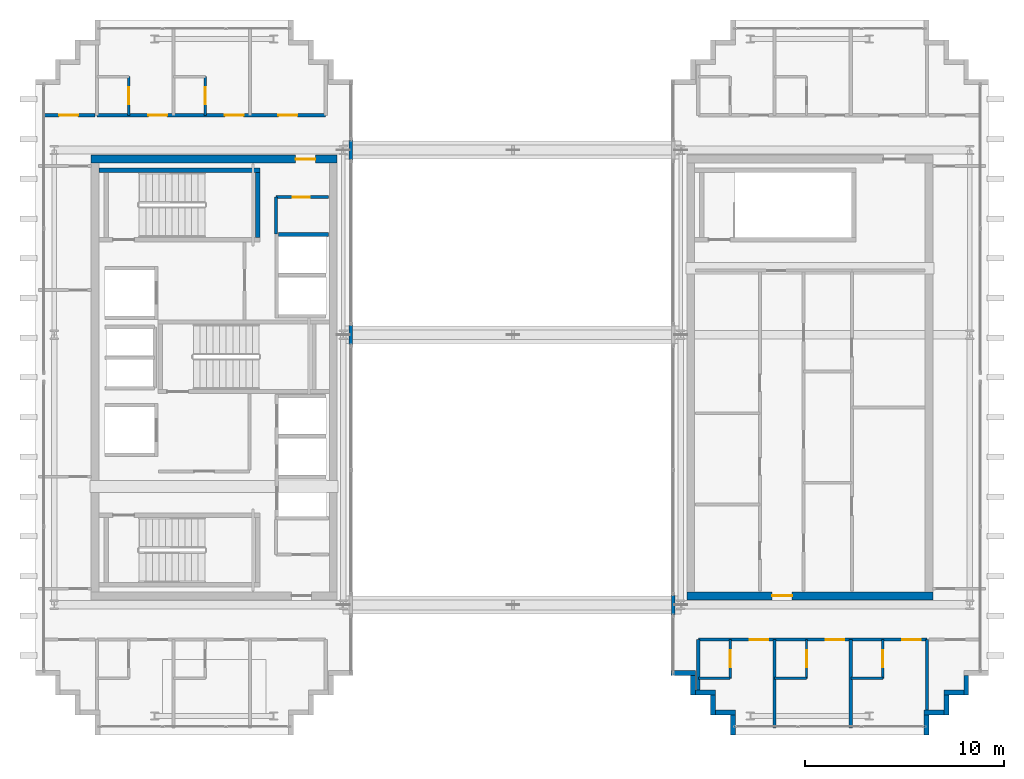
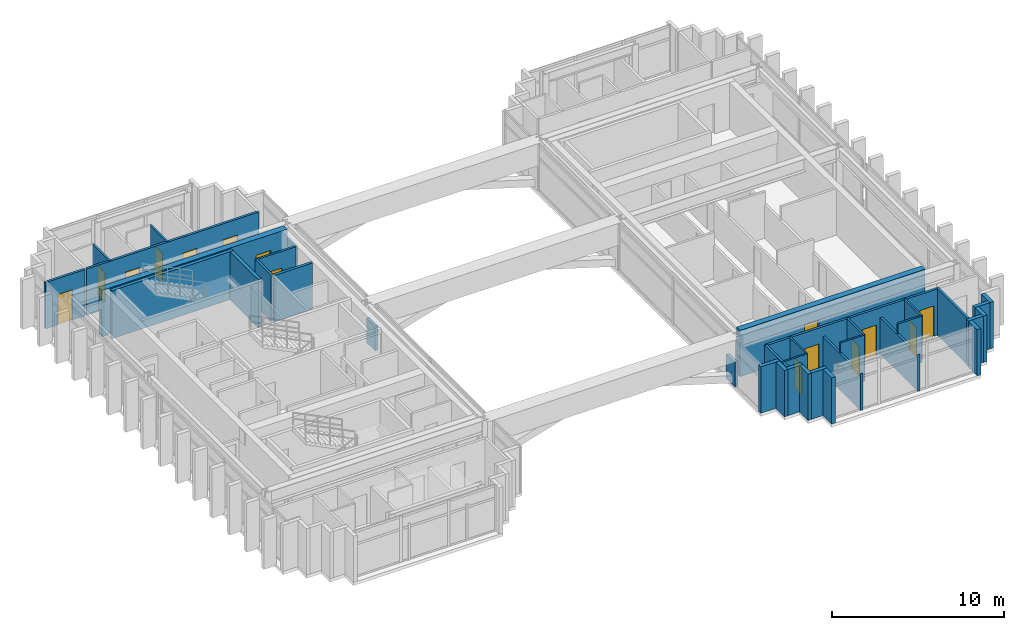
# One storey, part 24 of 28: 36 walls, 15 doors, 15 openings.
"""IFC4 building model written with IfcOpenShell, lengths in metres."""

import ifcopenshell
import ifcopenshell.guid

model = None  # the IFC model being written
_history = None  # IfcOwnerHistory: only IFC2X3 demands one
_inside = {}  # id of a spatial element -> (the spatial element, [elements in it])
_under = {}  # id of a project, library or spatial element -> (it, [spatial elements below it])
_declared = {}  # id of a project -> (the project, [libraries it declares])
_typed = {}  # id of a type object -> (the type object, [elements of that type])
_made_of = {}  # id of a material, layer set ... -> (it, [elements and type objects made of it])


def new_model(schema):
    """Start an empty IFC model of exactly this schema.

    Asked for "IFC4X3", IfcOpenShell would pick the latest addendum, in which some entities
    have other attributes; the version numbers below select the first issue.
    IFC2X3 requires an IfcOwnerHistory on every rooted entity: one is made here for all.
    """
    global model, _history
    if schema == "IFC4X3":
        model = ifcopenshell.file(schema_version=(4, 3, 0, 0))
    else:
        model = ifcopenshell.file(schema=schema)
    _inside.clear()
    _under.clear()
    _declared.clear()
    _typed.clear()
    _made_of.clear()
    _history = None
    if model.schema == "IFC2X3":
        org = make("IfcOrganization", Name="unknown")
        user = make(
            "IfcPersonAndOrganization",
            ThePerson=make("IfcPerson", FamilyName="unknown"),
            TheOrganization=org,
        )
        app = make(
            "IfcApplication",
            ApplicationDeveloper=org,
            Version="unknown",
            ApplicationFullName="unknown",
            ApplicationIdentifier="unknown",
        )
        _history = make(
            "IfcOwnerHistory",
            OwningUser=user,
            OwningApplication=app,
            ChangeAction="ADDED",
            CreationDate=0,
        )
    return model


def make(cls, **values):
    """One entity of the class cls with the attributes given. An attribute that is None is left unset."""
    return model.create_entity(
        cls, **{name: value for name, value in values.items() if value is not None}
    )


def rooted(cls, **values):
    """An entity with a GlobalId (a new one), such as an element, a storey or a relation."""
    return make(cls, GlobalId=ifcopenshell.guid.new(), OwnerHistory=_history, **values)


def si_unit(unit_type, name, prefix=None):
    """IfcSIUnit, for example si_unit("LENGTHUNIT", "METRE", prefix="MILLI")."""
    return make("IfcSIUnit", UnitType=unit_type, Prefix=prefix, Name=name)


def assignment(units):
    """IfcUnitAssignment: the units of a project."""
    return None if units is None else make("IfcUnitAssignment", Units=units)


def point(xyz):
    """IfcCartesianPoint."""
    return None if xyz is None else make("IfcCartesianPoint", Coordinates=xyz)


def direction(xyz):
    """IfcDirection."""
    return None if xyz is None else make("IfcDirection", DirectionRatios=xyz)


def frame(location, z_axis=None, x_axis=None):
    """IfcAxis2Placement3D, a coordinate frame: its origin and axes. An axis left out is left unset."""
    return make(
        "IfcAxis2Placement3D",
        Location=point(location),
        Axis=direction(z_axis),
        RefDirection=direction(x_axis),
    )


def frame_2d(location, x_axis=None):
    """IfcAxis2Placement2D, a coordinate frame in the plane: its origin and x axis."""
    return make(
        "IfcAxis2Placement2D", Location=point(location), RefDirection=direction(x_axis)
    )


def origin():
    """The frame at (0, 0, 0) with its axes left unset."""
    return frame((0.0, 0.0, 0.0))


def place(relative_to, where):
    """IfcLocalPlacement: puts the frame where relative to a parent placement (None: the world)."""
    return make(
        "IfcLocalPlacement", PlacementRelTo=relative_to, RelativePlacement=where
    )


def context(
    kind, dimensions, precision=None, world=None, true_north=None, identifier=None
):
    """IfcGeometricRepresentationContext, for example the 3D "Model" context."""
    return make(
        "IfcGeometricRepresentationContext",
        ContextIdentifier=identifier,
        ContextType=kind,
        CoordinateSpaceDimension=dimensions,
        Precision=precision,
        WorldCoordinateSystem=world,
        TrueNorth=true_north,
    )


def subcontext(parent, identifier, kind, view, scale=None):
    """IfcGeometricRepresentationSubContext, for example "Body" below "Model"."""
    return make(
        "IfcGeometricRepresentationSubContext",
        ContextIdentifier=identifier,
        ContextType=kind,
        ParentContext=parent,
        TargetScale=scale,
        TargetView=view,
    )


def project(units=None, contexts=None):
    """IfcProject with its units and contexts."""
    return rooted(
        "IfcProject",
        Name="project",
        RepresentationContexts=contexts,
        UnitsInContext=assignment(units),
    )


def spatial(cls, under=None, at=None, **own):
    """A site, building, storey or space (cls), placed at a placement, below another one or the project."""
    s = rooted(cls, ObjectPlacement=at, **own)
    if under is not None:
        _under.setdefault(under.id(), (under, []))[1].append(s)
    return s


def profile(cls, at=None, kind="AREA", **sizes):
    """A parametric profile (cls). Its sizes go by their IFC names, for example OverallWidth=200.0."""
    return make(cls, ProfileType=kind, Position=at, **sizes)


def rectangle(**sizes):
    """IfcRectangleProfileDef."""
    return profile("IfcRectangleProfileDef", **sizes)


def extrude(swept, where, along, depth):
    """IfcExtrudedAreaSolid: the profile swept, set in the frame where, extruded along a direction by depth."""
    return make(
        "IfcExtrudedAreaSolid",
        SweptArea=swept,
        Position=where,
        ExtrudedDirection=direction(along),
        Depth=depth,
    )


def shape(context_of_items, identifier, shape_type, items):
    """IfcShapeRepresentation: the items that make up one representation, for example the "Body"."""
    return make(
        "IfcShapeRepresentation",
        ContextOfItems=context_of_items,
        RepresentationIdentifier=identifier,
        RepresentationType=shape_type,
        Items=items,
    )


def source(mapping_origin, context_of_items, identifier, shape_type, items):
    """IfcRepresentationMap: a shape defined once, which mapped items show again and again."""
    return make(
        "IfcRepresentationMap",
        MappingOrigin=mapping_origin,
        MappedRepresentation=shape(context_of_items, identifier, shape_type, items),
    )


def transform(
    local_origin,
    x_axis=None,
    y_axis=None,
    z_axis=None,
    scale=None,
    scale2=None,
    scale3=None,
    uniform=True,
):
    """IfcCartesianTransformationOperator3D, or its non-uniform kind. x_axis, y_axis, z_axis: its Axis1, 2, 3."""
    if uniform:
        return make(
            "IfcCartesianTransformationOperator3D",
            Axis1=direction(x_axis),
            Axis2=direction(y_axis),
            LocalOrigin=point(local_origin),
            Scale=scale,
            Axis3=direction(z_axis),
        )
    return make(
        "IfcCartesianTransformationOperator3DnonUniform",
        Axis1=direction(x_axis),
        Axis2=direction(y_axis),
        LocalOrigin=point(local_origin),
        Scale=scale,
        Axis3=direction(z_axis),
        Scale2=scale2,
        Scale3=scale3,
    )


def mapped(mapping_source, mapping_target):
    """IfcMappedItem: shows the shape of a source again, moved by a transform."""
    return make(
        "IfcMappedItem", MappingSource=mapping_source, MappingTarget=mapping_target
    )


def material(Name=None, Category=None):
    """IfcMaterial."""
    return make("IfcMaterial", Name=Name, Category=Category)


def layer(
    of_material, thickness, ventilated=None, Name=None, Category=None, Priority=None
):
    """IfcMaterialLayer: one layer of a wall or slab, of a material (None: an air gap)."""
    return make(
        "IfcMaterialLayer",
        Material=of_material,
        LayerThickness=thickness,
        IsVentilated=ventilated,
        Name=Name,
        Category=Category,
        Priority=Priority,
    )


def layer_set(layers, Name=None):
    """IfcMaterialLayerSet."""
    return make("IfcMaterialLayerSet", MaterialLayers=layers, LayerSetName=Name)


def made_of(thing, what):
    """Note that an element or type object is made of a material, layer set ...; save() writes the relation."""
    if what is not None:
        _made_of.setdefault(what.id(), (what, []))[1].append(thing)
    return thing


def type_object(cls, material=None, **own):
    """A type object (cls), such as IfcWallType, which elements share."""
    return made_of(rooted(cls, **own), material)


def element(
    cls,
    number,
    at=None,
    inside=None,
    cuts=None,
    type_object=None,
    material=None,
    context=None,
    identifier="Body",
    shape_type=None,
    held_by="IfcProductDefinitionShape",
    body=None,
    shapes=None,
    **own,
):
    """One element of the class cls, such as IfcWall. Its Tag is "e" and its number.

    at: its placement. inside: the storey or other place that contains it. cuts: it is an
    opening in that element (IfcRelVoidsElement). A single representation is given by context,
    identifier, shape_type and body (its items); several are given by shapes. held_by: the class
    of the entity that holds the representations. save() writes the other relations.
    """
    e = rooted(cls, Tag="e%d" % number, ObjectPlacement=at, **own)
    if body is not None:
        shapes = [shape(context, identifier, shape_type, body)]
    if shapes is not None:
        e.Representation = make(held_by, Representations=shapes)
    if inside is not None:
        _inside.setdefault(inside.id(), (inside, []))[1].append(e)
    if cuts is not None:
        rooted(
            "IfcRelVoidsElement", RelatingBuildingElement=cuts, RelatedOpeningElement=e
        )
    if type_object is not None:
        _typed.setdefault(type_object.id(), (type_object, []))[1].append(e)
    return made_of(e, material)


def fill(opening, filler):
    """IfcRelFillsElement: the door or window that sits in an opening."""
    return rooted(
        "IfcRelFillsElement",
        RelatingOpeningElement=opening,
        RelatedBuildingElement=filler,
    )


def aggregate(whole, parts):
    """IfcRelAggregates: a whole, such as a stair, and the parts it consists of."""
    return rooted("IfcRelAggregates", RelatingObject=whole, RelatedObjects=parts)


def save(model, path):
    """Write the relations noted so far, then the file.

    IfcRelAggregates (storeys below a building ...), IfcRelContainedInSpatialStructure (elements
    in a storey), IfcRelDefinesByType, IfcRelAssociatesMaterial and IfcRelDeclares: one each for
    every whole, place, type object, material and project.
    """
    for whole, parts in _under.values():
        aggregate(whole, parts)
    for where, things in _inside.values():
        rooted(
            "IfcRelContainedInSpatialStructure",
            RelatedElements=things,
            RelatingStructure=where,
        )
    for kind, things in _typed.values():
        rooted("IfcRelDefinesByType", RelatedObjects=things, RelatingType=kind)
    for what, things in _made_of.values():
        rooted("IfcRelAssociatesMaterial", RelatedObjects=things, RelatingMaterial=what)
    for by, libraries in _declared.values():
        rooted("IfcRelDeclares", RelatingContext=by, RelatedDefinitions=libraries)
    model.write(path)


model = new_model("IFC4")

# Units and contexts
model_context = context("Model", 3, precision=1e-05, world=origin(), true_north=direction((0.0, 1.0)))
body_context = subcontext(model_context, "Body", "Model", "MODEL_VIEW")
ifc_project = project(units=[si_unit("LENGTHUNIT", "METRE"), si_unit("AREAUNIT", "SQUARE_METRE"), si_unit("VOLUMEUNIT", "CUBIC_METRE"), si_unit("PLANEANGLEUNIT", "RADIAN"), si_unit("MASSUNIT", "GRAM", prefix="KILO")], contexts=[model_context])

# Site, building, storey
site_placement = place(None, origin())
site = spatial("IfcSite", under=ifc_project, at=site_placement, CompositionType="ELEMENT")
building_placement = place(site_placement, origin())
building = spatial("IfcBuilding", under=site, at=building_placement, Name="Ocotamira Hotel", CompositionType="ELEMENT")
storey_placement = place(building_placement, frame((0.0, 0.0, 268.800048828125)))
storey = spatial("IfcBuildingStorey", under=building, at=storey_placement, Name="L68", CompositionType="ELEMENT", Elevation=268.800048828125)

# Wall, opening, door
ifc_material_1 = material(Name="Concrete C50/60", Category="concrete")
ifc_layer_1 = layer(ifc_material_1, 0.39990234375)
ifc_layer_set_1 = layer_set([ifc_layer_1], Name="Concrete C50/60")
wall_type_1 = type_object("IfcWallType", Name="WL-CORE-400", PredefinedType="SHEAR", material=ifc_layer_set_1)
wall_1_placement = place(storey_placement, frame((10.800048828125, 37.0, 0.0), z_axis=(0.0, 0.0, 1.0), x_axis=(1.0, 0.0, 0.0)))
wall_1 = element("IfcWall", 1, at=wall_1_placement, inside=storey, type_object=wall_type_1, Name="L68 Shear Core Wall WCORE-N", PredefinedType="SHEAR", context=body_context, shape_type="SweptSolid", body=[
    extrude(rectangle(XDim=12.39990234375, YDim=0.39990234375, at=frame_2d((6.199951171875, 0.0))), origin(), (0.0, 0.0, 1.0), 3.280029296875),
])
opening_1_placement = place(wall_1_placement, frame((10.300048828125, 0.0, 0.0)))
opening_1 = element("IfcOpeningElement", 2, at=opening_1_placement, cuts=wall_1, Name="Opening D-FR2", PredefinedType="OPENING", context=body_context, shape_type="SweptSolid", body=[
    extrude(rectangle(XDim=1.0, YDim=2.14990234375, at=frame_2d((0.5, 1.074951171875))), frame((0.0, 0.2099609375, 0.0), z_axis=(0.0, -1.0, 0.0), x_axis=(1.0, 0.0, 0.0)), (0.0, 0.0, 1.0), 0.419921875),
])
ifc_material_2 = material(Name="Fire-rated acoustic timber-veneer door", Category="wood")
door_type_1 = type_object("IfcDoorType", Name="DR-FIRE-1000", OperationType="NOTDEFINED", PredefinedType="DOOR", material=ifc_material_2)
shared_shape_1 = source(origin(), body_context, "Body", "SweptSolid", [
    extrude(rectangle(XDim=1.0, YDim=2.14990234375, at=frame_2d((0.5, 1.074951171875))), frame((0.0, 0.02490234375, 0.0), z_axis=(0.0, -1.0, 0.0), x_axis=(1.0, 0.0, 0.0)), (0.0, 0.0, 1.0), 0.050048828125),
])
door_1_placement = place(opening_1_placement, origin())
door_1 = element("IfcDoor", 3, at=door_1_placement, inside=storey, type_object=door_type_1, Name="L68 Door ID-L68-WLOB-N-D [ID-L68-WLOB-N-D]", OperationType="SINGLE_SWING_RIGHT", OverallHeight=2.14990234375, OverallWidth=1.0, PredefinedType="DOOR", context=body_context, shape_type="MappedRepresentation", body=[
    mapped(shared_shape_1, transform((0.0, 0.0, 0.0), scale=1.0)),
])
fill(opening_1, door_1)

wall_2_placement = place(storey_placement, frame((40.800048828125, 15.0, 0.0), z_axis=(0.0, 0.0, 1.0), x_axis=(1.0, 0.0, 0.0)))
wall_2 = element("IfcWall", 4, at=wall_2_placement, inside=storey, type_object=wall_type_1, Name="L68 Shear Core Wall ECORE-S", PredefinedType="SHEAR", context=body_context, shape_type="SweptSolid", body=[
    extrude(rectangle(XDim=12.39990234375, YDim=0.39990234375, at=frame_2d((6.199951171875, 0.0))), origin(), (0.0, 0.0, 1.0), 3.280029296875),
])
opening_2_placement = place(wall_2_placement, frame((4.300048828125, 0.0, 0.0)))
opening_2 = element("IfcOpeningElement", 5, at=opening_2_placement, cuts=wall_2, Name="Opening D-FR2", PredefinedType="OPENING", context=body_context, shape_type="SweptSolid", body=[
    extrude(rectangle(XDim=1.0, YDim=2.14990234375, at=frame_2d((0.5, 1.074951171875))), frame((0.0, 0.2099609375, 0.0), z_axis=(0.0, -1.0, 0.0), x_axis=(1.0, 0.0, 0.0)), (0.0, 0.0, 1.0), 0.419921875),
])
door_2_placement = place(opening_2_placement, origin())
door_2 = element("IfcDoor", 6, at=door_2_placement, inside=storey, type_object=door_type_1, Name="L68 Door ID-L68-ELOB-S-D [ID-L68-ELOB-S-D]", OperationType="SINGLE_SWING_RIGHT", OverallHeight=2.14990234375, OverallWidth=1.0, PredefinedType="DOOR", context=body_context, shape_type="MappedRepresentation", body=[
    mapped(shared_shape_1, transform((0.0, 0.0, 0.0), scale=1.0)),
])
fill(opening_2, door_2)

# Walls
ifc_material_3 = material(Name="Precast concrete C45/55", Category="concrete")
ifc_layer_2 = layer(ifc_material_3, 0.25)
ifc_layer_set_2 = layer_set([ifc_layer_2], Name="Precast concrete C45/55")
wall_type_2 = type_object("IfcWallType", Name="WL-EXT-SER-250", PredefinedType="SOLIDWALL", material=ifc_layer_set_2)
for number, where, z_axis, x_axis, name in (
    (7, (52.875, 8.0, 0.0), (0.0, 0.0, 1.0), (0.0, 1.0, 0.0), "L68 -E Serrated Corner Wall 01"),
    (8, (52.75, 9.125, 0.0), (0.0, 0.0, 1.0), (1.0, 0.0, 0.0), "L68 -E Serrated Corner Wall 02"),
    (9, (53.875, 9.0, 0.0), (0.0, 0.0, 1.0), (0.0, 1.0, 0.0), "L68 -E Serrated Corner Wall 03"),
    (10, (53.75, 10.125, 0.0), (0.0, 0.0, 1.0), (1.0, 0.0, 0.0), "L68 -E Serrated Corner Wall 04"),
    (11, (54.875, 10.0, 0.0), (0.0, 0.0, 1.0), (0.0, 1.0, 0.0), "L68 -E Serrated Corner Wall 05"),
):
    element("IfcWall", number, at=place(storey_placement, frame(where, z_axis=z_axis, x_axis=x_axis)), inside=storey, type_object=wall_type_2, Name=name, PredefinedType="SOLIDWALL", context=body_context, shape_type="SweptSolid", body=[
        extrude(rectangle(XDim=1.0, YDim=0.25, at=frame_2d((0.5, 0.0))), origin(), (0.0, 0.0, 1.0), 3.280029296875),
    ])
wall_3_placement = place(storey_placement, frame((40.0, 11.125, 0.0), z_axis=(0.0, 0.0, 1.0), x_axis=(1.0, 0.0, 0.0)))
element("IfcWall", 12, at=wall_3_placement, inside=storey, type_object=wall_type_2, Name="L68 -E Serrated Corner Wall 19", PredefinedType="SOLIDWALL", context=body_context, shape_type="SweptSolid", body=[
    extrude(rectangle(XDim=1.25, YDim=0.25, at=frame_2d((0.625, 0.0))), origin(), (0.0, 0.0, 1.0), 3.280029296875),
])
for number, where, z_axis, x_axis, name in (
    (13, (41.125, 11.0, 0.0), (0.0, 0.0, 1.0), (0.0, -1.0, 0.0), "L68 -E Serrated Corner Wall 20"),
    (14, (41.25, 10.125, 0.0), (0.0, 0.0, 1.0), (1.0, 0.0, 0.0), "L68 -E Serrated Corner Wall 21"),
    (15, (42.125, 10.0, 0.0), (0.0, 0.0, 1.0), (0.0, -1.0, 0.0), "L68 -E Serrated Corner Wall 22"),
    (16, (42.25, 9.125, 0.0), (0.0, 0.0, 1.0), (1.0, 0.0, 0.0), "L68 -E Serrated Corner Wall 23"),
    (17, (43.125, 9.0, 0.0), (0.0, 0.0, 1.0), (0.0, -1.0, 0.0), "L68 -E Serrated Corner Wall 24"),
):
    element("IfcWall", number, at=place(storey_placement, frame(where, z_axis=z_axis, x_axis=x_axis)), inside=storey, type_object=wall_type_2, Name=name, PredefinedType="SOLIDWALL", context=body_context, shape_type="SweptSolid", body=[
        extrude(rectangle(XDim=1.0, YDim=0.25, at=frame_2d((0.5, 0.0))), origin(), (0.0, 0.0, 1.0), 3.280029296875),
    ])

# Wall, openings, doors
ifc_material_4 = material(Name="Acoustic double-layer fire gypsum board partition", Category="gypsum")
ifc_layer_3 = layer(ifc_material_4, 0.159912109375)
ifc_layer_set_3 = layer_set([ifc_layer_3], Name="Acoustic double-layer fire gypsum board partition")
wall_type_3 = type_object("IfcWallType", Name="WL-FIRE-160", PredefinedType="PARTITIONING", material=ifc_layer_set_3)
wall_4_placement = place(storey_placement, frame((11.10009765625, 39.199951171875, 0.0), z_axis=(0.0, 0.0, 1.0), x_axis=(1.0, 0.0, 0.0)))
wall_4 = element("IfcWall", 18, at=wall_4_placement, inside=storey, type_object=wall_type_3, Name="L68 Interior Wall PW-L68-SPW2N-CORRW", PredefinedType="PARTITIONING", context=body_context, shape_type="SweptSolid", body=[
    extrude(rectangle(XDim=11.52001953125, YDim=0.159912109375, at=frame_2d((5.760009765625, 0.0))), origin(), (0.0, 0.0, 1.0), 3.280029296875),
])
opening_3_placement = place(wall_4_placement, frame((2.590087890625, 0.0, 0.0)))
opening_3 = element("IfcOpeningElement", 19, at=opening_3_placement, cuts=wall_4, Name="Opening D-GR1", PredefinedType="OPENING", context=body_context, shape_type="SweptSolid", body=[
    extrude(rectangle(XDim=0.93994140625, YDim=2.14990234375, at=frame_2d((0.469970703125, 1.074951171875))), frame((0.0, 0.08984375, 0.0), z_axis=(0.0, -1.0, 0.0), x_axis=(1.0, 0.0, 0.0)), (0.0, 0.0, 1.0), 0.179931640625),
])
opening_4_placement = place(wall_4_placement, frame((6.43994140625, 0.0, 0.0)))
opening_4 = element("IfcOpeningElement", 20, at=opening_4_placement, cuts=wall_4, Name="Opening D-GR1", PredefinedType="OPENING", context=body_context, shape_type="SweptSolid", body=[
    extrude(rectangle(XDim=0.93994140625, YDim=2.14990234375, at=frame_2d((0.469970703125, 1.074951171875))), frame((0.0, 0.08984375, 0.0), z_axis=(0.0, -1.0, 0.0), x_axis=(1.0, 0.0, 0.0)), (0.0, 0.0, 1.0), 0.179931640625),
])
opening_5_placement = place(wall_4_placement, frame((9.1298828125, 0.0, 0.0)))
opening_5 = element("IfcOpeningElement", 21, at=opening_5_placement, cuts=wall_4, Name="Opening D-SV4", PredefinedType="OPENING", context=body_context, shape_type="SweptSolid", body=[
    extrude(rectangle(XDim=0.9599609375, YDim=2.14990234375, at=frame_2d((0.47998046875, 1.074951171875))), frame((0.0, 0.08984375, 0.0), z_axis=(0.0, -1.0, 0.0), x_axis=(1.0, 0.0, 0.0)), (0.0, 0.0, 1.0), 0.179931640625),
])
ifc_material_5 = material(Name="Fire-rated accessible walnut salon door", Category="wood")
door_type_2 = type_object("IfcDoorType", Name="DR-SERV-960", OperationType="NOTDEFINED", PredefinedType="DOOR", material=ifc_material_5)
shared_shape_2 = source(origin(), body_context, "Body", "SweptSolid", [
    extrude(rectangle(XDim=0.9599609375, YDim=2.14990234375, at=frame_2d((0.47998046875, 1.074951171875))), frame((0.0, 0.02490234375, 0.0), z_axis=(0.0, -1.0, 0.0), x_axis=(1.0, 0.0, 0.0)), (0.0, 0.0, 1.0), 0.050048828125),
])
door_3_placement = place(opening_5_placement, origin())
door_3 = element("IfcDoor", 22, at=door_3_placement, inside=storey, type_object=door_type_2, Name="L68 Door ID-L68-SPW2N-AMD3 [ID-L68-SPW2N-AMD3]", OperationType="SINGLE_SWING_LEFT", OverallHeight=2.14990234375, OverallWidth=0.9599609375, PredefinedType="DOOR", context=body_context, shape_type="MappedRepresentation", body=[
    mapped(shared_shape_2, transform((0.0, 0.0, 0.0), scale=1.0)),
])
fill(opening_5, door_3)
ifc_material_6 = material(Name="Solid-core walnut suite entrance fire door", Category="wood")
door_type_3 = type_object("IfcDoorType", Name="DR-GUEST-940", OperationType="NOTDEFINED", PredefinedType="DOOR", material=ifc_material_6)
shared_shape_3 = source(origin(), body_context, "Body", "SweptSolid", [
    extrude(rectangle(XDim=0.93994140625, YDim=2.14990234375, at=frame_2d((0.469970703125, 1.074951171875))), frame((0.0, 0.02490234375, 0.0), z_axis=(0.0, -1.0, 0.0), x_axis=(1.0, 0.0, 0.0)), (0.0, 0.0, 1.0), 0.050048828125),
])
door_4_placement = place(opening_3_placement, origin())
door_4 = element("IfcDoor", 23, at=door_4_placement, inside=storey, type_object=door_type_3, Name="L68 Door ID-L68-SPW2N-RMD1 [ID-L68-SPW2N-RMD1]", OperationType="SINGLE_SWING_LEFT", OverallHeight=2.14990234375, OverallWidth=0.93994140625, PredefinedType="DOOR", context=body_context, shape_type="MappedRepresentation", body=[
    mapped(shared_shape_3, transform((0.0, 0.0, 0.0), scale=1.0)),
])
fill(opening_3, door_4)
door_5_placement = place(opening_4_placement, origin())
door_5 = element("IfcDoor", 24, at=door_5_placement, inside=storey, type_object=door_type_3, Name="L68 Door ID-L68-SPW2N-RMD2 [ID-L68-SPW2N-RMD2]", OperationType="SINGLE_SWING_RIGHT", OverallHeight=2.14990234375, OverallWidth=0.93994140625, PredefinedType="DOOR", context=body_context, shape_type="MappedRepresentation", body=[
    mapped(shared_shape_3, transform((0.0, 0.0, 0.0), scale=1.0)),
])
fill(opening_4, door_5)

wall_5_placement = place(storey_placement, frame((41.3798828125, 12.800048828125, 0.0), z_axis=(0.0, 0.0, 1.0), x_axis=(1.0, 0.0, 0.0)))
wall_5 = element("IfcWall", 25, at=wall_5_placement, inside=storey, type_object=wall_type_3, Name="L68 Interior Wall PW-L68-SPE2S-CORRW", PredefinedType="PARTITIONING", context=body_context, shape_type="SweptSolid", body=[
    extrude(rectangle(XDim=11.52001953125, YDim=0.159912109375, at=frame_2d((5.760009765625, 0.0))), origin(), (0.0, 0.0, 1.0), 3.280029296875),
])
opening_6_placement = place(wall_5_placement, frame((2.580078125, 0.0, 0.0)))
opening_6 = element("IfcOpeningElement", 26, at=opening_6_placement, cuts=wall_5, Name="Opening D-GR1", PredefinedType="OPENING", context=body_context, shape_type="SweptSolid", body=[
    extrude(rectangle(XDim=0.93994140625, YDim=2.14990234375, at=frame_2d((0.469970703125, 1.074951171875))), frame((0.0, 0.08984375, 0.0), z_axis=(0.0, -1.0, 0.0), x_axis=(1.0, 0.0, 0.0)), (0.0, 0.0, 1.0), 0.179931640625),
])
opening_7_placement = place(wall_5_placement, frame((6.419921875, 0.0, 0.0)))
opening_7 = element("IfcOpeningElement", 27, at=opening_7_placement, cuts=wall_5, Name="Opening D-GR1", PredefinedType="OPENING", context=body_context, shape_type="SweptSolid", body=[
    extrude(rectangle(XDim=0.93994140625, YDim=2.14990234375, at=frame_2d((0.469970703125, 1.074951171875))), frame((0.0, 0.08984375, 0.0), z_axis=(0.0, -1.0, 0.0), x_axis=(1.0, 0.0, 0.0)), (0.0, 0.0, 1.0), 0.179931640625),
])
opening_8_placement = place(wall_5_placement, frame((10.260009765625, 0.0, 0.0)))
opening_8 = element("IfcOpeningElement", 28, at=opening_8_placement, cuts=wall_5, Name="Opening D-GR1", PredefinedType="OPENING", context=body_context, shape_type="SweptSolid", body=[
    extrude(rectangle(XDim=0.93994140625, YDim=2.14990234375, at=frame_2d((0.469970703125, 1.074951171875))), frame((0.0, 0.08984375, 0.0), z_axis=(0.0, -1.0, 0.0), x_axis=(1.0, 0.0, 0.0)), (0.0, 0.0, 1.0), 0.179931640625),
])
door_6_placement = place(opening_6_placement, origin())
door_6 = element("IfcDoor", 29, at=door_6_placement, inside=storey, type_object=door_type_3, Name="L68 Door ID-L68-SPE2S-RMD1 [ID-L68-SPE2S-RMD1]", OperationType="SINGLE_SWING_LEFT", OverallHeight=2.14990234375, OverallWidth=0.93994140625, PredefinedType="DOOR", context=body_context, shape_type="MappedRepresentation", body=[
    mapped(shared_shape_3, transform((0.0, 0.0, 0.0), scale=1.0)),
])
fill(opening_6, door_6)
door_7_placement = place(opening_7_placement, origin())
door_7 = element("IfcDoor", 30, at=door_7_placement, inside=storey, type_object=door_type_3, Name="L68 Door ID-L68-SPE2S-RMD2 [ID-L68-SPE2S-RMD2]", OperationType="SINGLE_SWING_RIGHT", OverallHeight=2.14990234375, OverallWidth=0.93994140625, PredefinedType="DOOR", context=body_context, shape_type="MappedRepresentation", body=[
    mapped(shared_shape_3, transform((0.0, 0.0, 0.0), scale=1.0)),
])
fill(opening_7, door_7)
door_8_placement = place(opening_8_placement, origin())
door_8 = element("IfcDoor", 31, at=door_8_placement, inside=storey, type_object=door_type_3, Name="L68 Door ID-L68-SPE2S-RMD3 [ID-L68-SPE2S-RMD3]", OperationType="SINGLE_SWING_LEFT", OverallHeight=2.14990234375, OverallWidth=0.93994140625, PredefinedType="DOOR", context=body_context, shape_type="MappedRepresentation", body=[
    mapped(shared_shape_3, transform((0.0, 0.0, 0.0), scale=1.0)),
])
fill(opening_8, door_8)

# Wall, opening, door
wall_6_placement = place(storey_placement, frame((8.35009765625, 39.199951171875, 0.0), z_axis=(0.0, 0.0, 1.0), x_axis=(1.0, 0.0, 0.0)))
wall_6 = element("IfcWall", 32, at=wall_6_placement, inside=storey, type_object=wall_type_3, Name="L68 Interior Wall PW-L68-SPCNW2-CW", PredefinedType="PARTITIONING", context=body_context, shape_type="SweptSolid", body=[
    extrude(rectangle(XDim=2.64990234375, YDim=0.159912109375, at=frame_2d((1.324951171875, 0.0))), origin(), (0.0, 0.0, 1.0), 3.280029296875),
])
opening_9_placement = place(wall_6_placement, frame((0.844970703125, 0.0, 0.0)))
opening_9 = element("IfcOpeningElement", 33, at=opening_9_placement, cuts=wall_6, Name="Opening D-SV4", PredefinedType="OPENING", context=body_context, shape_type="SweptSolid", body=[
    extrude(rectangle(XDim=0.9599609375, YDim=2.14990234375, at=frame_2d((0.47998046875, 1.074951171875))), frame((0.0, 0.08984375, 0.0), z_axis=(0.0, -1.0, 0.0), x_axis=(1.0, 0.0, 0.0)), (0.0, 0.0, 1.0), 0.179931640625),
])
door_9_placement = place(opening_9_placement, origin())
door_9 = element("IfcDoor", 34, at=door_9_placement, inside=storey, type_object=door_type_2, Name="L68 Door ID-L68-SPCNW2-CD [ID-L68-SPCNW2-CD]", OperationType="SINGLE_SWING_LEFT", OverallHeight=2.14990234375, OverallWidth=0.9599609375, PredefinedType="DOOR", context=body_context, shape_type="MappedRepresentation", body=[
    mapped(shared_shape_2, transform((0.0, 0.0, 0.0), scale=1.0)),
])
fill(opening_9, door_9)

# Walls
ifc_layer_4 = layer(ifc_material_3, 0.219970703125)
ifc_layer_set_4 = layer_set([ifc_layer_4], Name="Precast concrete C45/55")
wall_type_4 = type_object("IfcWallType", Name="WL-PARA-220", PredefinedType="PARAPET", material=ifc_layer_set_4)
for number, where, z_axis, x_axis, name in (
    (35, (23.8798828125, 27.64990234375, 0.0), (0.0, 0.0, 1.0), (0.0, 1.0, 0.0), "L68 Split-Wing Column Spandrel Closure W2"),
    (36, (23.8798828125, 36.949951171875, 0.0), (0.0, 0.0, 1.0), (0.0, 1.0, 0.0), "L68 Split-Wing Column Spandrel Closure W3"),
    (37, (40.1201171875, 14.050048828125, 0.0), (0.0, 0.0, 1.0), (0.0, 1.0, 0.0), "L68 Split-Wing Column Spandrel Closure E1"),
):
    element("IfcWall", number, at=place(storey_placement, frame(where, z_axis=z_axis, x_axis=x_axis)), inside=storey, type_object=wall_type_4, Name=name, PredefinedType="PARAPET", context=body_context, shape_type="SweptSolid", body=[
        extrude(rectangle(XDim=1.0, YDim=0.199951171875, at=frame_2d((0.5, 0.0))), origin(), (0.0, 0.0, 1.0), 1.72998046875),
    ])

# Wall, opening, door
ifc_material_7 = material(Name="Moisture-resistant en-suite tile and gypsum partition", Category="gypsum")
ifc_layer_5 = layer(ifc_material_7, 0.1201171875)
ifc_layer_set_5 = layer_set([ifc_layer_5], Name="Moisture-resistant en-suite tile and gypsum partition")
wall_type_5 = type_object("IfcWallType", Name="WL-PART-120", PredefinedType="PARTITIONING", material=ifc_layer_set_5)
wall_7_placement = place(storey_placement, frame((12.7099609375, 39.199951171875, 0.0), z_axis=(0.0, 0.0, 1.0), x_axis=(0.0, 1.0, 0.0)))
wall_7 = element("IfcWall", 38, at=wall_7_placement, inside=storey, type_object=wall_type_5, Name="L68 Interior Wall PW-L68-SPW2N-BAE1", PredefinedType="PARTITIONING", context=body_context, shape_type="SweptSolid", body=[
    extrude(rectangle(XDim=1.949951171875, YDim=0.1201171875, at=frame_2d((0.97509765625, 0.0))), origin(), (0.0, 0.0, 1.0), 3.280029296875),
])
opening_10_placement = place(wall_7_placement, frame((0.544921875, 0.0, 0.0)))
opening_10 = element("IfcOpeningElement", 39, at=opening_10_placement, cuts=wall_7, Name="Opening D-BA1", PredefinedType="OPENING", context=body_context, shape_type="SweptSolid", body=[
    extrude(rectangle(XDim=0.860107421875, YDim=2.10009765625, at=frame_2d((0.43017578125, 1.050048828125))), frame((0.0, 0.070068359375, 0.0), z_axis=(0.0, -1.0, 0.0), x_axis=(1.0, 0.0, 0.0)), (0.0, 0.0, 1.0), 0.14013671875),
])
ifc_material_8 = material(Name="Moisture-sealed en-suite timber door", Category="wood")
door_type_4 = type_object("IfcDoorType", Name="DR-BATH-860", OperationType="NOTDEFINED", PredefinedType="DOOR", material=ifc_material_8)
shared_shape_4 = source(origin(), body_context, "Body", "SweptSolid", [
    extrude(rectangle(XDim=0.860107421875, YDim=2.10009765625, at=frame_2d((0.43017578125, 1.050048828125))), frame((0.0, 0.02490234375, 0.0), z_axis=(0.0, -1.0, 0.0), x_axis=(1.0, 0.0, 0.0)), (0.0, 0.0, 1.0), 0.050048828125),
])
door_10_placement = place(opening_10_placement, origin())
door_10 = element("IfcDoor", 40, at=door_10_placement, inside=storey, type_object=door_type_4, Name="L68 Door ID-L68-SPW2N-BAD1 [ID-L68-SPW2N-BAD1]", OperationType="SINGLE_SWING_RIGHT", OverallHeight=2.10009765625, OverallWidth=0.860107421875, PredefinedType="DOOR", context=body_context, shape_type="MappedRepresentation", body=[
    mapped(shared_shape_4, transform((0.0, 0.0, 0.0), scale=1.0)),
])
fill(opening_10, door_10)

wall_8_placement = place(storey_placement, frame((16.56005859375, 39.199951171875, 0.0), z_axis=(0.0, 0.0, 1.0), x_axis=(0.0, 1.0, 0.0)))
wall_8 = element("IfcWall", 41, at=wall_8_placement, inside=storey, type_object=wall_type_5, Name="L68 Interior Wall PW-L68-SPW2N-BAE2", PredefinedType="PARTITIONING", context=body_context, shape_type="SweptSolid", body=[
    extrude(rectangle(XDim=1.949951171875, YDim=0.1201171875, at=frame_2d((0.97509765625, 0.0))), origin(), (0.0, 0.0, 1.0), 3.280029296875),
])
opening_11_placement = place(wall_8_placement, frame((0.544921875, 0.0, 0.0)))
opening_11 = element("IfcOpeningElement", 42, at=opening_11_placement, cuts=wall_8, Name="Opening D-BA1", PredefinedType="OPENING", context=body_context, shape_type="SweptSolid", body=[
    extrude(rectangle(XDim=0.860107421875, YDim=2.10009765625, at=frame_2d((0.43017578125, 1.050048828125))), frame((0.0, 0.070068359375, 0.0), z_axis=(0.0, -1.0, 0.0), x_axis=(1.0, 0.0, 0.0)), (0.0, 0.0, 1.0), 0.14013671875),
])
door_11_placement = place(opening_11_placement, origin())
door_11 = element("IfcDoor", 43, at=door_11_placement, inside=storey, type_object=door_type_4, Name="L68 Door ID-L68-SPW2N-BAD2 [ID-L68-SPW2N-BAD2]", OperationType="SINGLE_SWING_LEFT", OverallHeight=2.10009765625, OverallWidth=0.860107421875, PredefinedType="DOOR", context=body_context, shape_type="MappedRepresentation", body=[
    mapped(shared_shape_4, transform((0.0, 0.0, 0.0), scale=1.0)),
])
fill(opening_11, door_11)

wall_9_placement = place(storey_placement, frame((42.989990234375, 10.85009765625, 0.0), z_axis=(0.0, 0.0, 1.0), x_axis=(0.0, 1.0, 0.0)))
wall_9 = element("IfcWall", 44, at=wall_9_placement, inside=storey, type_object=wall_type_5, Name="L68 Interior Wall PW-L68-SPE2S-BAE1", PredefinedType="PARTITIONING", context=body_context, shape_type="SweptSolid", body=[
    extrude(rectangle(XDim=1.949951171875, YDim=0.1201171875, at=frame_2d((0.97509765625, 0.0))), origin(), (0.0, 0.0, 1.0), 3.280029296875),
])
opening_12_placement = place(wall_9_placement, frame((0.544921875, 0.0, 0.0)))
opening_12 = element("IfcOpeningElement", 45, at=opening_12_placement, cuts=wall_9, Name="Opening D-BA1", PredefinedType="OPENING", context=body_context, shape_type="SweptSolid", body=[
    extrude(rectangle(XDim=0.860107421875, YDim=2.10009765625, at=frame_2d((0.43017578125, 1.050048828125))), frame((0.0, 0.070068359375, 0.0), z_axis=(0.0, -1.0, 0.0), x_axis=(1.0, 0.0, 0.0)), (0.0, 0.0, 1.0), 0.14013671875),
])
door_12_placement = place(opening_12_placement, origin())
door_12 = element("IfcDoor", 46, at=door_12_placement, inside=storey, type_object=door_type_4, Name="L68 Door ID-L68-SPE2S-BAD1 [ID-L68-SPE2S-BAD1]", OperationType="SINGLE_SWING_RIGHT", OverallHeight=2.10009765625, OverallWidth=0.860107421875, PredefinedType="DOOR", context=body_context, shape_type="MappedRepresentation", body=[
    mapped(shared_shape_4, transform((0.0, 0.0, 0.0), scale=1.0)),
])
fill(opening_12, door_12)

# Wall
wall_10_placement = place(storey_placement, frame((41.3798828125, 10.85009765625, 0.0), z_axis=(0.0, 0.0, 1.0), x_axis=(1.0, 0.0, 0.0)))
element("IfcWall", 47, at=wall_10_placement, inside=storey, type_object=wall_type_5, Name="L68 Interior Wall PW-L68-SPE2S-BAS1", PredefinedType="PARTITIONING", context=body_context, shape_type="SweptSolid", body=[
    extrude(rectangle(XDim=1.610107421875, YDim=0.1201171875, at=frame_2d((0.80517578125, 0.0))), origin(), (0.0, 0.0, 1.0), 3.280029296875),
])

# Wall, opening, door
wall_11_placement = place(storey_placement, frame((46.830078125, 10.85009765625, 0.0), z_axis=(0.0, 0.0, 1.0), x_axis=(0.0, 1.0, 0.0)))
wall_11 = element("IfcWall", 48, at=wall_11_placement, inside=storey, type_object=wall_type_5, Name="L68 Interior Wall PW-L68-SPE2S-BAE2", PredefinedType="PARTITIONING", context=body_context, shape_type="SweptSolid", body=[
    extrude(rectangle(XDim=1.949951171875, YDim=0.1201171875, at=frame_2d((0.97509765625, 0.0))), origin(), (0.0, 0.0, 1.0), 3.280029296875),
])
opening_13_placement = place(wall_11_placement, frame((0.544921875, 0.0, 0.0)))
opening_13 = element("IfcOpeningElement", 49, at=opening_13_placement, cuts=wall_11, Name="Opening D-BA1", PredefinedType="OPENING", context=body_context, shape_type="SweptSolid", body=[
    extrude(rectangle(XDim=0.860107421875, YDim=2.10009765625, at=frame_2d((0.43017578125, 1.050048828125))), frame((0.0, 0.070068359375, 0.0), z_axis=(0.0, -1.0, 0.0), x_axis=(1.0, 0.0, 0.0)), (0.0, 0.0, 1.0), 0.14013671875),
])
door_13_placement = place(opening_13_placement, origin())
door_13 = element("IfcDoor", 50, at=door_13_placement, inside=storey, type_object=door_type_4, Name="L68 Door ID-L68-SPE2S-BAD2 [ID-L68-SPE2S-BAD2]", OperationType="SINGLE_SWING_LEFT", OverallHeight=2.10009765625, OverallWidth=0.860107421875, PredefinedType="DOOR", context=body_context, shape_type="MappedRepresentation", body=[
    mapped(shared_shape_4, transform((0.0, 0.0, 0.0), scale=1.0)),
])
fill(opening_13, door_13)

# Wall
wall_12_placement = place(storey_placement, frame((45.219970703125, 10.85009765625, 0.0), z_axis=(0.0, 0.0, 1.0), x_axis=(1.0, 0.0, 0.0)))
element("IfcWall", 51, at=wall_12_placement, inside=storey, type_object=wall_type_5, Name="L68 Interior Wall PW-L68-SPE2S-BAS2", PredefinedType="PARTITIONING", context=body_context, shape_type="SweptSolid", body=[
    extrude(rectangle(XDim=1.610107421875, YDim=0.1201171875, at=frame_2d((0.80517578125, 0.0))), origin(), (0.0, 0.0, 1.0), 3.280029296875),
])

# Wall, opening, door
wall_13_placement = place(storey_placement, frame((50.669921875, 10.85009765625, 0.0), z_axis=(0.0, 0.0, 1.0), x_axis=(0.0, 1.0, 0.0)))
wall_13 = element("IfcWall", 52, at=wall_13_placement, inside=storey, type_object=wall_type_5, Name="L68 Interior Wall PW-L68-SPE2S-BAE3", PredefinedType="PARTITIONING", context=body_context, shape_type="SweptSolid", body=[
    extrude(rectangle(XDim=1.949951171875, YDim=0.1201171875, at=frame_2d((0.97509765625, 0.0))), origin(), (0.0, 0.0, 1.0), 3.280029296875),
])
opening_14_placement = place(wall_13_placement, frame((0.544921875, 0.0, 0.0)))
opening_14 = element("IfcOpeningElement", 53, at=opening_14_placement, cuts=wall_13, Name="Opening D-BA1", PredefinedType="OPENING", context=body_context, shape_type="SweptSolid", body=[
    extrude(rectangle(XDim=0.860107421875, YDim=2.10009765625, at=frame_2d((0.43017578125, 1.050048828125))), frame((0.0, 0.070068359375, 0.0), z_axis=(0.0, -1.0, 0.0), x_axis=(1.0, 0.0, 0.0)), (0.0, 0.0, 1.0), 0.14013671875),
])
door_14_placement = place(opening_14_placement, origin())
door_14 = element("IfcDoor", 54, at=door_14_placement, inside=storey, type_object=door_type_4, Name="L68 Door ID-L68-SPE2S-BAD3 [ID-L68-SPE2S-BAD3]", OperationType="SINGLE_SWING_RIGHT", OverallHeight=2.10009765625, OverallWidth=0.860107421875, PredefinedType="DOOR", context=body_context, shape_type="MappedRepresentation", body=[
    mapped(shared_shape_4, transform((0.0, 0.0, 0.0), scale=1.0)),
])
fill(opening_14, door_14)

# Walls
wall_14_placement = place(storey_placement, frame((49.06005859375, 10.85009765625, 0.0), z_axis=(0.0, 0.0, 1.0), x_axis=(1.0, 0.0, 0.0)))
element("IfcWall", 55, at=wall_14_placement, inside=storey, type_object=wall_type_5, Name="L68 Interior Wall PW-L68-SPE2S-BAS3", PredefinedType="PARTITIONING", context=body_context, shape_type="SweptSolid", body=[
    extrude(rectangle(XDim=1.60986328125, YDim=0.1201171875, at=frame_2d((0.804931640625, 0.0))), origin(), (0.0, 0.0, 1.0), 3.280029296875),
])
ifc_material_9 = material(Name="Acoustic hospitality gypsum board partition", Category="gypsum")
ifc_layer_6 = layer(ifc_material_9, 0.14208984375)
ifc_layer_set_6 = layer_set([ifc_layer_6], Name="Acoustic hospitality gypsum board partition")
wall_type_6 = type_object("IfcWallType", Name="WL-PART-142", PredefinedType="PARTITIONING", material=ifc_layer_set_6)
wall_15_placement = place(storey_placement, frame((20.1201171875, 33.219970703125, 0.0), z_axis=(0.0, 0.0, 1.0), x_axis=(0.0, 1.0, 0.0)))
element("IfcWall", 56, at=wall_15_placement, inside=storey, type_object=wall_type_6, Name="L68 Interior Wall PW-L68-WC-NE-W2", PredefinedType="PARTITIONING", context=body_context, shape_type="SweptSolid", body=[
    extrude(rectangle(XDim=1.860107421875, YDim=0.14208984375, at=frame_2d((0.93017578125, 0.0))), origin(), (0.0, 0.0, 1.0), 3.280029296875),
])

# Wall, opening, door
wall_16_placement = place(storey_placement, frame((20.1201171875, 35.080078125, 0.0), z_axis=(0.0, 0.0, 1.0), x_axis=(1.0, 0.0, 0.0)))
wall_16 = element("IfcWall", 57, at=wall_16_placement, inside=storey, type_object=wall_type_6, Name="L68 Interior Wall PW-L68-WC-NE-N2", PredefinedType="PARTITIONING", context=body_context, shape_type="SweptSolid", body=[
    extrude(rectangle(XDim=2.6298828125, YDim=0.14208984375, at=frame_2d((1.31494140625, 0.0))), origin(), (0.0, 0.0, 1.0), 3.280029296875),
])
opening_15_placement = place(wall_16_placement, frame((0.85009765625, 0.0, 0.0)))
opening_15 = element("IfcOpeningElement", 58, at=opening_15_placement, cuts=wall_16, Name="Opening D-SV1", PredefinedType="OPENING", context=body_context, shape_type="SweptSolid", body=[
    extrude(rectangle(XDim=0.840087890625, YDim=2.10009765625, at=frame_2d((0.419921875, 1.050048828125))), frame((0.0, 0.0810546875, 0.0), z_axis=(0.0, -1.0, 0.0), x_axis=(1.0, 0.0, 0.0)), (0.0, 0.0, 1.0), 0.162109375),
])
ifc_material_10 = material(Name="Fire-rated painted steel service door", Category="steel")
door_type_5 = type_object("IfcDoorType", Name="DR-SERV-840", OperationType="NOTDEFINED", PredefinedType="DOOR", material=ifc_material_10)
shared_shape_5 = source(origin(), body_context, "Body", "SweptSolid", [
    extrude(rectangle(XDim=0.840087890625, YDim=2.10009765625, at=frame_2d((0.419921875, 1.050048828125))), frame((0.0, 0.02490234375, 0.0), z_axis=(0.0, -1.0, 0.0), x_axis=(1.0, 0.0, 0.0)), (0.0, 0.0, 1.0), 0.050048828125),
])
door_15_placement = place(opening_15_placement, origin())
door_15 = element("IfcDoor", 59, at=door_15_placement, inside=storey, type_object=door_type_5, Name="L68 Door ID-L68-WC-NE-D2 [ID-L68-WC-NE-D2]", OperationType="SINGLE_SWING_RIGHT", OverallHeight=2.10009765625, OverallWidth=0.840087890625, PredefinedType="DOOR", context=body_context, shape_type="MappedRepresentation", body=[
    mapped(shared_shape_5, transform((0.0, 0.0, 0.0), scale=1.0)),
])
fill(opening_15, door_15)

# Walls
ifc_material_11 = material(Name="Acoustic double-stud hospitality gypsum partition", Category="gypsum")
ifc_layer_7 = layer(ifc_material_11, 0.159912109375)
ifc_layer_set_7 = layer_set([ifc_layer_7], Name="Acoustic double-stud hospitality gypsum partition")
wall_type_7 = type_object("IfcWallType", Name="WL-PART-160", PredefinedType="PARTITIONING", material=ifc_layer_set_7)
wall_17_placement = place(storey_placement, frame((41.3798828125, 10.260009765625, 0.0), z_axis=(0.0, 0.0, 1.0), x_axis=(0.0, 1.0, 0.0)))
element("IfcWall", 60, at=wall_17_placement, inside=storey, type_object=wall_type_7, Name="L68 Interior Wall PW-L68-SPE2S-PW0", PredefinedType="PARTITIONING", context=body_context, shape_type="SweptSolid", body=[
    extrude(rectangle(XDim=2.5400390625, YDim=0.159912109375, at=frame_2d((1.27001953125, 0.0))), origin(), (0.0, 0.0, 1.0), 3.280029296875),
])
wall_18_placement = place(storey_placement, frame((52.89990234375, 9.260009765625, 0.0), z_axis=(0.0, 0.0, 1.0), x_axis=(0.0, 1.0, 0.0)))
element("IfcWall", 61, at=wall_18_placement, inside=storey, type_object=wall_type_7, Name="L68 Interior Wall PW-L68-SPE2S-PWEND", PredefinedType="PARTITIONING", context=body_context, shape_type="SweptSolid", body=[
    extrude(rectangle(XDim=3.5400390625, YDim=0.159912109375, at=frame_2d((1.77001953125, 0.0))), origin(), (0.0, 0.0, 1.0), 3.280029296875),
])
for number, where, z_axis, x_axis, name in (
    (62, (45.219970703125, 8.360107421875, 0.0), (0.0, 0.0, 1.0), (0.0, 1.0, 0.0), "L68 Interior Wall PW-L68-SPE2S-PW1"),
    (63, (49.06005859375, 8.360107421875, 0.0), (0.0, 0.0, 1.0), (0.0, 1.0, 0.0), "L68 Interior Wall PW-L68-SPE2S-PW2"),
):
    element("IfcWall", number, at=place(storey_placement, frame(where, z_axis=z_axis, x_axis=x_axis)), inside=storey, type_object=wall_type_7, Name=name, PredefinedType="PARTITIONING", context=body_context, shape_type="SweptSolid", body=[
        extrude(rectangle(XDim=4.43994140625, YDim=0.159912109375, at=frame_2d((2.219970703125, 0.0))), origin(), (0.0, 0.0, 1.0), 2.5869140625),
    ])
ifc_material_12 = material(Name="Fire-rated gypsum shaftliner board assembly", Category="gypsum")
ifc_layer_8 = layer(ifc_material_12, 0.179931640625)
ifc_layer_set_8 = layer_set([ifc_layer_8], Name="Fire-rated gypsum shaftliner board assembly")
wall_type_8 = type_object("IfcWallType", Name="WL-SHAFT-180", PredefinedType="SOLIDWALL", material=ifc_layer_set_8)
wall_19_placement = place(storey_placement, frame((20.25, 33.199951171875, 0.0), z_axis=(0.0, 0.0, 1.0), x_axis=(1.0, 0.0, 0.0)))
element("IfcWall", 64, at=wall_19_placement, inside=storey, type_object=wall_type_8, Name="L68 Interior Wall PW-L68-LFW-BANK-obs-N", PredefinedType="SOLIDWALL", context=body_context, shape_type="SweptSolid", body=[
    extrude(rectangle(XDim=2.5, YDim=0.179931640625, at=frame_2d((1.25, 0.0))), origin(), (0.0, 0.0, 1.0), 3.280029296875),
])
ifc_layer_9 = layer(ifc_material_1, 0.219970703125)
ifc_layer_set_9 = layer_set([ifc_layer_9], Name="Concrete C50/60")
wall_type_9 = type_object("IfcWallType", Name="WL-STAIR-220", PredefinedType="SHEAR", material=ifc_layer_set_9)
wall_20_placement = place(storey_placement, frame((11.199951171875, 36.43994140625, 0.0), z_axis=(0.0, 0.0, 1.0), x_axis=(1.0, 0.0, 0.0)))
element("IfcWall", 65, at=wall_20_placement, inside=storey, type_object=wall_type_9, Name="L68 Stair Shaft Structural Wall ST-2-N", PredefinedType="SHEAR", context=body_context, shape_type="SweptSolid", body=[
    extrude(rectangle(XDim=8.110107421875, YDim=0.219970703125, at=frame_2d((4.05517578125, 0.0))), origin(), (0.0, 0.0, 1.0), 3.39990234375),
])
wall_21_placement = place(storey_placement, frame((19.199951171875, 33.050048828125, 0.0), z_axis=(0.0, 0.0, 1.0), x_axis=(0.0, 1.0, 0.0)))
element("IfcWall", 66, at=wall_21_placement, inside=storey, type_object=wall_type_9, Name="L68 Stair Shaft Structural Wall ST-2-E", PredefinedType="SHEAR", context=body_context, shape_type="SweptSolid", body=[
    extrude(rectangle(XDim=3.280029296875, YDim=0.219970703125, at=frame_2d((1.64013671875, 0.0))), origin(), (0.0, 0.0, 1.0), 3.39990234375),
])

save(model, "model.ifc")
